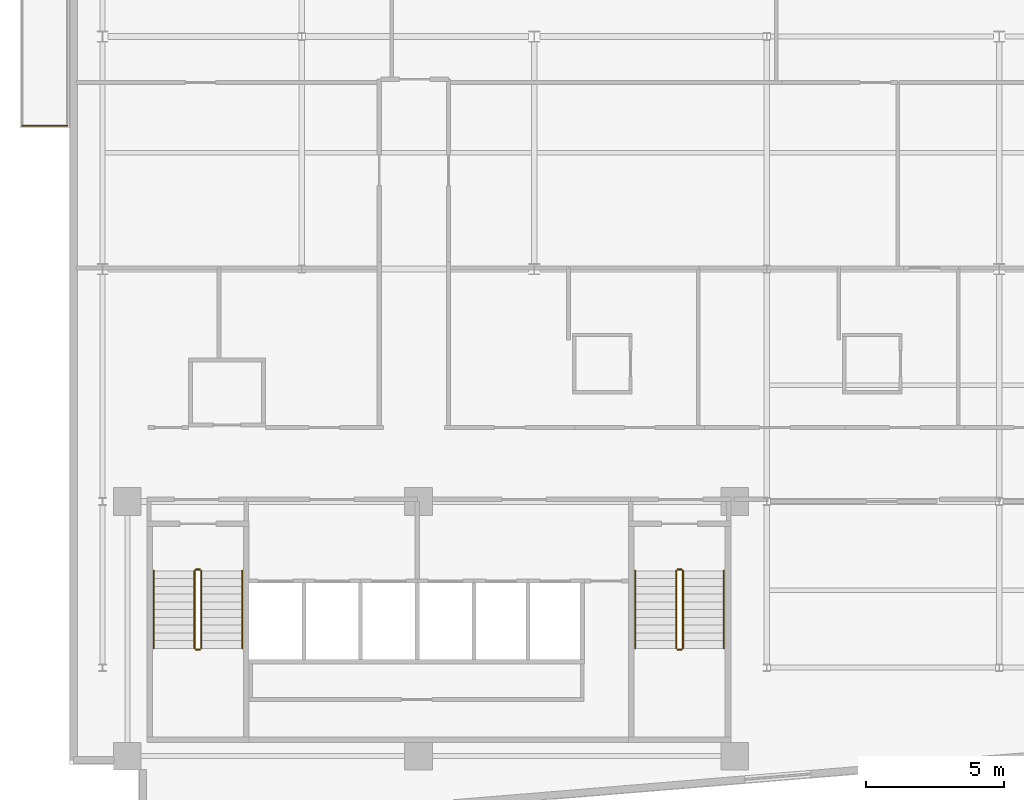
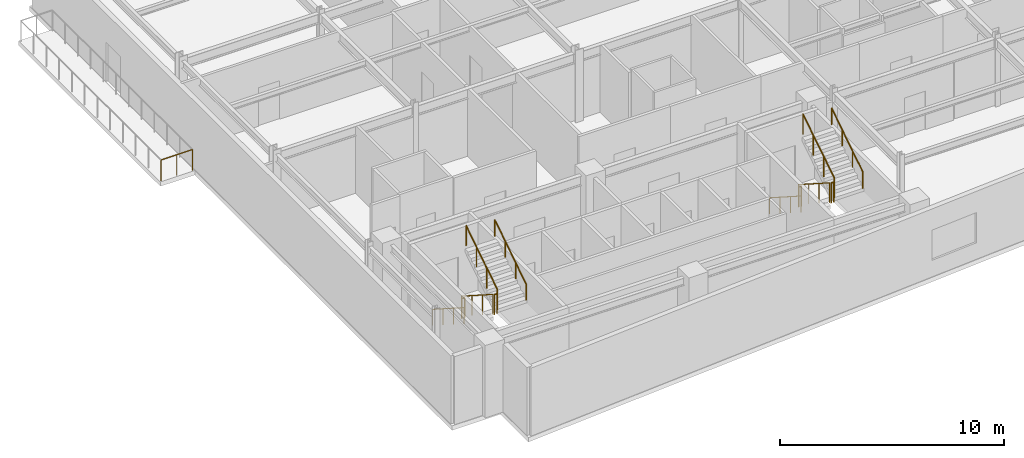
# One storey, part 15 of 17: 13 railings.
"""IFC4 building model written with IfcOpenShell, lengths in metres."""

import ifcopenshell
import ifcopenshell.guid

model = None  # the IFC model being written
_history = None  # IfcOwnerHistory: only IFC2X3 demands one
_inside = {}  # id of a spatial element -> (the spatial element, [elements in it])
_under = {}  # id of a project, library or spatial element -> (it, [spatial elements below it])
_declared = {}  # id of a project -> (the project, [libraries it declares])
_typed = {}  # id of a type object -> (the type object, [elements of that type])
_made_of = {}  # id of a material, layer set ... -> (it, [elements and type objects made of it])


def new_model(schema):
    """Start an empty IFC model of exactly this schema.

    Asked for "IFC4X3", IfcOpenShell would pick the latest addendum, in which some entities
    have other attributes; the version numbers below select the first issue.
    IFC2X3 requires an IfcOwnerHistory on every rooted entity: one is made here for all.
    """
    global model, _history
    if schema == "IFC4X3":
        model = ifcopenshell.file(schema_version=(4, 3, 0, 0))
    else:
        model = ifcopenshell.file(schema=schema)
    _inside.clear()
    _under.clear()
    _declared.clear()
    _typed.clear()
    _made_of.clear()
    _history = None
    if model.schema == "IFC2X3":
        org = make("IfcOrganization", Name="unknown")
        user = make(
            "IfcPersonAndOrganization",
            ThePerson=make("IfcPerson", FamilyName="unknown"),
            TheOrganization=org,
        )
        app = make(
            "IfcApplication",
            ApplicationDeveloper=org,
            Version="unknown",
            ApplicationFullName="unknown",
            ApplicationIdentifier="unknown",
        )
        _history = make(
            "IfcOwnerHistory",
            OwningUser=user,
            OwningApplication=app,
            ChangeAction="ADDED",
            CreationDate=0,
        )
    return model


def make(cls, **values):
    """One entity of the class cls with the attributes given. An attribute that is None is left unset."""
    return model.create_entity(
        cls, **{name: value for name, value in values.items() if value is not None}
    )


def rooted(cls, **values):
    """An entity with a GlobalId (a new one), such as an element, a storey or a relation."""
    return make(cls, GlobalId=ifcopenshell.guid.new(), OwnerHistory=_history, **values)


def si_unit(unit_type, name, prefix=None):
    """IfcSIUnit, for example si_unit("LENGTHUNIT", "METRE", prefix="MILLI")."""
    return make("IfcSIUnit", UnitType=unit_type, Prefix=prefix, Name=name)


def assignment(units):
    """IfcUnitAssignment: the units of a project."""
    return None if units is None else make("IfcUnitAssignment", Units=units)


def point(xyz):
    """IfcCartesianPoint."""
    return None if xyz is None else make("IfcCartesianPoint", Coordinates=xyz)


def direction(xyz):
    """IfcDirection."""
    return None if xyz is None else make("IfcDirection", DirectionRatios=xyz)


def frame(location, z_axis=None, x_axis=None):
    """IfcAxis2Placement3D, a coordinate frame: its origin and axes. An axis left out is left unset."""
    return make(
        "IfcAxis2Placement3D",
        Location=point(location),
        Axis=direction(z_axis),
        RefDirection=direction(x_axis),
    )


def frame_2d(location, x_axis=None):
    """IfcAxis2Placement2D, a coordinate frame in the plane: its origin and x axis."""
    return make(
        "IfcAxis2Placement2D", Location=point(location), RefDirection=direction(x_axis)
    )


def origin():
    """The frame at (0, 0, 0) with its axes left unset."""
    return frame((0.0, 0.0, 0.0))


def origin_2d():
    """The frame at (0, 0) in the plane with its x axis left unset."""
    return frame_2d((0.0, 0.0))


def place(relative_to, where):
    """IfcLocalPlacement: puts the frame where relative to a parent placement (None: the world)."""
    return make(
        "IfcLocalPlacement", PlacementRelTo=relative_to, RelativePlacement=where
    )


def context(
    kind, dimensions, precision=None, world=None, true_north=None, identifier=None
):
    """IfcGeometricRepresentationContext, for example the 3D "Model" context."""
    return make(
        "IfcGeometricRepresentationContext",
        ContextIdentifier=identifier,
        ContextType=kind,
        CoordinateSpaceDimension=dimensions,
        Precision=precision,
        WorldCoordinateSystem=world,
        TrueNorth=true_north,
    )


def subcontext(parent, identifier, kind, view, scale=None):
    """IfcGeometricRepresentationSubContext, for example "Body" below "Model"."""
    return make(
        "IfcGeometricRepresentationSubContext",
        ContextIdentifier=identifier,
        ContextType=kind,
        ParentContext=parent,
        TargetScale=scale,
        TargetView=view,
    )


def project(units=None, contexts=None):
    """IfcProject with its units and contexts."""
    return rooted(
        "IfcProject",
        Name="project",
        RepresentationContexts=contexts,
        UnitsInContext=assignment(units),
    )


def spatial(cls, under=None, at=None, **own):
    """A site, building, storey or space (cls), placed at a placement, below another one or the project."""
    s = rooted(cls, ObjectPlacement=at, **own)
    if under is not None:
        _under.setdefault(under.id(), (under, []))[1].append(s)
    return s


def profile(cls, at=None, kind="AREA", **sizes):
    """A parametric profile (cls). Its sizes go by their IFC names, for example OverallWidth=200.0."""
    return make(cls, ProfileType=kind, Position=at, **sizes)


def circle(**sizes):
    """IfcCircleProfileDef."""
    return profile("IfcCircleProfileDef", **sizes)


def extrude(swept, where, along, depth):
    """IfcExtrudedAreaSolid: the profile swept, set in the frame where, extruded along a direction by depth."""
    return make(
        "IfcExtrudedAreaSolid",
        SweptArea=swept,
        Position=where,
        ExtrudedDirection=direction(along),
        Depth=depth,
    )


def shape(context_of_items, identifier, shape_type, items):
    """IfcShapeRepresentation: the items that make up one representation, for example the "Body"."""
    return make(
        "IfcShapeRepresentation",
        ContextOfItems=context_of_items,
        RepresentationIdentifier=identifier,
        RepresentationType=shape_type,
        Items=items,
    )


def material(Name=None, Category=None):
    """IfcMaterial."""
    return make("IfcMaterial", Name=Name, Category=Category)


def made_of(thing, what):
    """Note that an element or type object is made of a material, layer set ...; save() writes the relation."""
    if what is not None:
        _made_of.setdefault(what.id(), (what, []))[1].append(thing)
    return thing


def type_object(cls, material=None, **own):
    """A type object (cls), such as IfcWallType, which elements share."""
    return made_of(rooted(cls, **own), material)


def element(
    cls,
    number,
    at=None,
    inside=None,
    cuts=None,
    type_object=None,
    material=None,
    context=None,
    identifier="Body",
    shape_type=None,
    held_by="IfcProductDefinitionShape",
    body=None,
    shapes=None,
    **own,
):
    """One element of the class cls, such as IfcWall. Its Tag is "e" and its number.

    at: its placement. inside: the storey or other place that contains it. cuts: it is an
    opening in that element (IfcRelVoidsElement). A single representation is given by context,
    identifier, shape_type and body (its items); several are given by shapes. held_by: the class
    of the entity that holds the representations. save() writes the other relations.
    """
    e = rooted(cls, Tag="e%d" % number, ObjectPlacement=at, **own)
    if body is not None:
        shapes = [shape(context, identifier, shape_type, body)]
    if shapes is not None:
        e.Representation = make(held_by, Representations=shapes)
    if inside is not None:
        _inside.setdefault(inside.id(), (inside, []))[1].append(e)
    if cuts is not None:
        rooted(
            "IfcRelVoidsElement", RelatingBuildingElement=cuts, RelatedOpeningElement=e
        )
    if type_object is not None:
        _typed.setdefault(type_object.id(), (type_object, []))[1].append(e)
    return made_of(e, material)


def aggregate(whole, parts):
    """IfcRelAggregates: a whole, such as a stair, and the parts it consists of."""
    return rooted("IfcRelAggregates", RelatingObject=whole, RelatedObjects=parts)


def save(model, path):
    """Write the relations noted so far, then the file.

    IfcRelAggregates (storeys below a building ...), IfcRelContainedInSpatialStructure (elements
    in a storey), IfcRelDefinesByType, IfcRelAssociatesMaterial and IfcRelDeclares: one each for
    every whole, place, type object, material and project.
    """
    for whole, parts in _under.values():
        aggregate(whole, parts)
    for where, things in _inside.values():
        rooted(
            "IfcRelContainedInSpatialStructure",
            RelatedElements=things,
            RelatingStructure=where,
        )
    for kind, things in _typed.values():
        rooted("IfcRelDefinesByType", RelatedObjects=things, RelatingType=kind)
    for what, things in _made_of.values():
        rooted("IfcRelAssociatesMaterial", RelatedObjects=things, RelatingMaterial=what)
    for by, libraries in _declared.values():
        rooted("IfcRelDeclares", RelatingContext=by, RelatedDefinitions=libraries)
    model.write(path)


model = new_model("IFC4")

# Units and contexts
model_context = context("Model", 3, precision=1e-05, world=origin(), true_north=direction((0.0, 1.0)))
body_context = subcontext(model_context, "Body", "Model", "MODEL_VIEW")
ifc_project = project(units=[si_unit("LENGTHUNIT", "METRE"), si_unit("AREAUNIT", "SQUARE_METRE"), si_unit("VOLUMEUNIT", "CUBIC_METRE"), si_unit("PLANEANGLEUNIT", "RADIAN"), si_unit("MASSUNIT", "GRAM", prefix="KILO")], contexts=[model_context])

# Site, building, storey
site_placement = place(None, origin())
site = spatial("IfcSite", under=ifc_project, at=site_placement, CompositionType="ELEMENT")
building_placement = place(site_placement, origin())
building = spatial("IfcBuilding", under=site, at=building_placement, Name="Varnakote Quay Hospital", CompositionType="ELEMENT")
storey_placement = place(building_placement, frame((0.0, 0.0, 203.949951171875)))
storey = spatial("IfcBuildingStorey", under=building, at=storey_placement, Name="L50", CompositionType="ELEMENT", Elevation=203.949951171875)

# Railings
ifc_material_1 = material(Name="Anodised aluminium 6063-T6 Bronze", Category="aluminium")
railing_type_1 = type_object("IfcRailingType", Name="RLG-EXT-GUARD-1150", PredefinedType="GUARDRAIL", material=ifc_material_1)
railing_1_placement = place(storey_placement, frame((-0.075927734375, 25.580078125, 0.0)))
element("IfcRailing", 1, at=railing_1_placement, inside=storey, type_object=railing_type_1, Name="L50 Zigzag Prow Healing Terrace Safety Guard", PredefinedType="GUARDRAIL", context=body_context, shape_type="SweptSolid", body=[
    extrude(circle(Radius=0.02392578125, at=origin_2d()), frame((0.0, 0.0, 1.1259765625), z_axis=(-1.0, 0.0, 0.0), x_axis=(0.0, -1.0, 0.0)), (0.0, 0.0, 1.0), 1.6240234375),
    extrude(circle(Radius=0.02099609375, at=origin_2d()), origin(), (0.0, 0.0, 1.0), 1.101806640625),
    extrude(circle(Radius=0.02099609375, at=origin_2d()), frame((-0.81201171875, 0.0, 0.0)), (0.0, 0.0, 1.0), 1.101806640625),
    extrude(circle(Radius=0.02099609375, at=origin_2d()), frame((-1.6240234375, 0.0, 0.0)), (0.0, 0.0, 1.0), 1.101806640625),
])
ifc_material_2 = material(Name="Brushed stainless steel balustrade", Category="steel")
railing_type_2 = type_object("IfcRailingType", Name="RLG-STAIR-GUARD-1150", PredefinedType="GUARDRAIL", material=ifc_material_2)
railing_2_placement = place(storey_placement, frame((4.530029296875, 9.5, 0.1796875)))
element("IfcRailing", 2, at=railing_2_placement, inside=storey, type_object=railing_type_2, Name="L50 ST-01 stair guard 1", PredefinedType="GUARDRAIL", context=body_context, shape_type="SweptSolid", body=[
    extrude(circle(Radius=0.02392578125, at=origin_2d()), frame((0.0, 0.0, 1.076171875), z_axis=(0.0, -0.841809871826, 0.539774156196), x_axis=(1.0, 0.0, 0.0)), (0.0, 0.0, 1.0), 3.326171875),
    extrude(circle(Radius=0.02099609375, at=origin_2d()), origin(), (0.0, 0.0, 1.0), 1.052001953125),
    extrude(circle(Radius=0.02099609375, at=origin_2d()), frame((0.0, -0.933349609375, 0.598388671875)), (0.0, 0.0, 1.0), 1.052001953125),
    extrude(circle(Radius=0.02099609375, at=origin_2d()), frame((0.0, -1.86669921875, 1.197021484375)), (0.0, 0.0, 1.0), 1.052001953125),
    extrude(circle(Radius=0.02099609375, at=origin_2d()), frame((0.0, -2.800048828125, 1.79541015625)), (0.0, 0.0, 1.0), 1.052001953125),
])
railing_3_placement = place(storey_placement, frame((4.580078125, 6.64990234375, 1.97509765625)))
element("IfcRailing", 3, at=railing_3_placement, inside=storey, type_object=railing_type_2, Name="L50 ST-01 stair guard 2", PredefinedType="GUARDRAIL", context=body_context, shape_type="SweptSolid", body=[
    extrude(circle(Radius=0.02392578125, at=origin_2d()), frame((0.0, 0.0, 1.076171875), z_axis=(1.0, 0.0, 0.0), x_axis=(0.0, 1.0, 0.0)), (0.0, 0.0, 1.0), 0.139892578125),
    extrude(circle(Radius=0.02099609375, at=origin_2d()), origin(), (0.0, 0.0, 1.0), 1.052001953125),
    extrude(circle(Radius=0.02099609375, at=origin_2d()), frame((0.139892578125, 0.0, 0.0)), (0.0, 0.0, 1.0), 1.052001953125),
])
railing_4_placement = place(storey_placement, frame((4.77001953125, 6.699951171875, 2.154541015625)))
element("IfcRailing", 4, at=railing_4_placement, inside=storey, type_object=railing_type_2, Name="L50 ST-01 stair guard 3", PredefinedType="GUARDRAIL", context=body_context, shape_type="SweptSolid", body=[
    extrude(circle(Radius=0.02392578125, at=origin_2d()), frame((0.0, 0.0, 1.076171875), z_axis=(0.0, 0.841809871826, 0.539774156196), x_axis=(-1.0, 0.0, 0.0)), (0.0, 0.0, 1.0), 3.326171875),
    extrude(circle(Radius=0.02099609375, at=origin_2d()), origin(), (0.0, 0.0, 1.0), 1.052001953125),
    extrude(circle(Radius=0.02099609375, at=origin_2d()), frame((0.0, 0.933349609375, 0.598388671875)), (0.0, 0.0, 1.0), 1.052001953125),
    extrude(circle(Radius=0.02099609375, at=origin_2d()), frame((0.0, 1.86669921875, 1.197021484375)), (0.0, 0.0, 1.0), 1.052001953125),
    extrude(circle(Radius=0.02099609375, at=origin_2d()), frame((0.0, 2.800048828125, 1.79541015625)), (0.0, 0.0, 1.0), 1.052001953125),
])
railing_5_placement = place(storey_placement, frame((4.580078125, 9.550048828125, 0.0)))
element("IfcRailing", 5, at=railing_5_placement, inside=storey, type_object=railing_type_2, Name="L50 ST-01 stair guard 4", PredefinedType="GUARDRAIL", context=body_context, shape_type="SweptSolid", body=[
    extrude(circle(Radius=0.02392578125, at=origin_2d()), frame((0.0, 0.0, 1.076171875), z_axis=(1.0, 0.0, 0.0), x_axis=(0.0, 1.0, 0.0)), (0.0, 0.0, 1.0), 0.139892578125),
    extrude(circle(Radius=0.02099609375, at=origin_2d()), origin(), (0.0, 0.0, 1.0), 1.052001953125),
    extrude(circle(Radius=0.02099609375, at=origin_2d()), frame((0.139892578125, 0.0, 0.0)), (0.0, 0.0, 1.0), 1.052001953125),
])
railing_6_placement = place(storey_placement, frame((21.929931640625, 9.5, 0.1796875)))
element("IfcRailing", 6, at=railing_6_placement, inside=storey, type_object=railing_type_2, Name="L50 ST-02 stair guard 1", PredefinedType="GUARDRAIL", context=body_context, shape_type="SweptSolid", body=[
    extrude(circle(Radius=0.02392578125, at=origin_2d()), frame((0.0, 0.0, 1.076171875), z_axis=(0.0, -0.841809871826, 0.539774156196), x_axis=(1.0, 0.0, 0.0)), (0.0, 0.0, 1.0), 3.326171875),
    extrude(circle(Radius=0.02099609375, at=origin_2d()), origin(), (0.0, 0.0, 1.0), 1.052001953125),
    extrude(circle(Radius=0.02099609375, at=origin_2d()), frame((0.0, -0.933349609375, 0.598388671875)), (0.0, 0.0, 1.0), 1.052001953125),
    extrude(circle(Radius=0.02099609375, at=origin_2d()), frame((0.0, -1.86669921875, 1.197021484375)), (0.0, 0.0, 1.0), 1.052001953125),
    extrude(circle(Radius=0.02099609375, at=origin_2d()), frame((0.0, -2.800048828125, 1.79541015625)), (0.0, 0.0, 1.0), 1.052001953125),
])
railing_7_placement = place(storey_placement, frame((21.97998046875, 6.64990234375, 1.97509765625)))
element("IfcRailing", 7, at=railing_7_placement, inside=storey, type_object=railing_type_2, Name="L50 ST-02 stair guard 2", PredefinedType="GUARDRAIL", context=body_context, shape_type="SweptSolid", body=[
    extrude(circle(Radius=0.02392578125, at=origin_2d()), frame((0.0, 0.0, 1.076171875), z_axis=(1.0, 0.0, 0.0), x_axis=(0.0, 1.0, 0.0)), (0.0, 0.0, 1.0), 0.14013671875),
    extrude(circle(Radius=0.02099609375, at=origin_2d()), origin(), (0.0, 0.0, 1.0), 1.052001953125),
    extrude(circle(Radius=0.02099609375, at=origin_2d()), frame((0.14013671875, 0.0, 0.0)), (0.0, 0.0, 1.0), 1.052001953125),
])
railing_8_placement = place(storey_placement, frame((22.169921875, 6.699951171875, 2.154541015625)))
element("IfcRailing", 8, at=railing_8_placement, inside=storey, type_object=railing_type_2, Name="L50 ST-02 stair guard 3", PredefinedType="GUARDRAIL", context=body_context, shape_type="SweptSolid", body=[
    extrude(circle(Radius=0.02392578125, at=origin_2d()), frame((0.0, 0.0, 1.076171875), z_axis=(0.0, 0.841809871826, 0.539774156196), x_axis=(-1.0, 0.0, 0.0)), (0.0, 0.0, 1.0), 3.326171875),
    extrude(circle(Radius=0.02099609375, at=origin_2d()), origin(), (0.0, 0.0, 1.0), 1.052001953125),
    extrude(circle(Radius=0.02099609375, at=origin_2d()), frame((0.0, 0.933349609375, 0.598388671875)), (0.0, 0.0, 1.0), 1.052001953125),
    extrude(circle(Radius=0.02099609375, at=origin_2d()), frame((0.0, 1.86669921875, 1.197021484375)), (0.0, 0.0, 1.0), 1.052001953125),
    extrude(circle(Radius=0.02099609375, at=origin_2d()), frame((0.0, 2.800048828125, 1.79541015625)), (0.0, 0.0, 1.0), 1.052001953125),
])
railing_9_placement = place(storey_placement, frame((21.97998046875, 9.550048828125, 0.0)))
element("IfcRailing", 9, at=railing_9_placement, inside=storey, type_object=railing_type_2, Name="L50 ST-02 stair guard 4", PredefinedType="GUARDRAIL", context=body_context, shape_type="SweptSolid", body=[
    extrude(circle(Radius=0.02392578125, at=origin_2d()), frame((0.0, 0.0, 1.076171875), z_axis=(1.0, 0.0, 0.0), x_axis=(0.0, 1.0, 0.0)), (0.0, 0.0, 1.0), 0.14013671875),
    extrude(circle(Radius=0.02099609375, at=origin_2d()), origin(), (0.0, 0.0, 1.0), 1.052001953125),
    extrude(circle(Radius=0.02099609375, at=origin_2d()), frame((0.14013671875, 0.0, 0.0)), (0.0, 0.0, 1.0), 1.052001953125),
])
ifc_material_3 = material(Name="Brushed stainless steel handrail", Category="steel")
railing_type_3 = type_object("IfcRailingType", Name="RLG-STAIR-HND-920", PredefinedType="HANDRAIL", material=ifc_material_3)
railing_10_placement = place(storey_placement, frame((3.050048828125, 9.5, 0.1796875)))
element("IfcRailing", 10, at=railing_10_placement, inside=storey, type_object=railing_type_3, Name="L50 ST-01 stair handrail 1", PredefinedType="HANDRAIL", context=body_context, shape_type="SweptSolid", body=[
    extrude(circle(Radius=0.02392578125, at=origin_2d()), frame((0.0, 0.0, 0.8759765625), z_axis=(0.0, -0.841809871826, 0.539774156196), x_axis=(1.0, 0.0, 0.0)), (0.0, 0.0, 1.0), 3.326171875),
    extrude(circle(Radius=0.02099609375, at=origin_2d()), origin(), (0.0, 0.0, 1.0), 0.851806640625),
    extrude(circle(Radius=0.02099609375, at=origin_2d()), frame((0.0, -0.933349609375, 0.598388671875)), (0.0, 0.0, 1.0), 0.851806640625),
    extrude(circle(Radius=0.02099609375, at=origin_2d()), frame((0.0, -1.86669921875, 1.197021484375)), (0.0, 0.0, 1.0), 0.851806640625),
    extrude(circle(Radius=0.02099609375, at=origin_2d()), frame((0.0, -2.800048828125, 1.79541015625)), (0.0, 0.0, 1.0), 0.851806640625),
])
railing_11_placement = place(storey_placement, frame((6.25, 6.699951171875, 2.154541015625)))
element("IfcRailing", 11, at=railing_11_placement, inside=storey, type_object=railing_type_3, Name="L50 ST-01 stair handrail 2", PredefinedType="HANDRAIL", context=body_context, shape_type="SweptSolid", body=[
    extrude(circle(Radius=0.02392578125, at=origin_2d()), frame((0.0, 0.0, 0.8759765625), z_axis=(0.0, 0.841809871826, 0.539774156196), x_axis=(-1.0, 0.0, 0.0)), (0.0, 0.0, 1.0), 3.326171875),
    extrude(circle(Radius=0.02099609375, at=origin_2d()), origin(), (0.0, 0.0, 1.0), 0.851806640625),
    extrude(circle(Radius=0.02099609375, at=origin_2d()), frame((0.0, 0.933349609375, 0.598388671875)), (0.0, 0.0, 1.0), 0.851806640625),
    extrude(circle(Radius=0.02099609375, at=origin_2d()), frame((0.0, 1.86669921875, 1.197021484375)), (0.0, 0.0, 1.0), 0.851806640625),
    extrude(circle(Radius=0.02099609375, at=origin_2d()), frame((0.0, 2.800048828125, 1.79541015625)), (0.0, 0.0, 1.0), 0.851806640625),
])
railing_12_placement = place(storey_placement, frame((20.449951171875, 9.5, 0.1796875)))
element("IfcRailing", 12, at=railing_12_placement, inside=storey, type_object=railing_type_3, Name="L50 ST-02 stair handrail 1", PredefinedType="HANDRAIL", context=body_context, shape_type="SweptSolid", body=[
    extrude(circle(Radius=0.02392578125, at=origin_2d()), frame((0.0, 0.0, 0.8759765625), z_axis=(0.0, -0.841809871826, 0.539774156196), x_axis=(1.0, 0.0, 0.0)), (0.0, 0.0, 1.0), 3.326171875),
    extrude(circle(Radius=0.02099609375, at=origin_2d()), origin(), (0.0, 0.0, 1.0), 0.851806640625),
    extrude(circle(Radius=0.02099609375, at=origin_2d()), frame((0.0, -0.933349609375, 0.598388671875)), (0.0, 0.0, 1.0), 0.851806640625),
    extrude(circle(Radius=0.02099609375, at=origin_2d()), frame((0.0, -1.86669921875, 1.197021484375)), (0.0, 0.0, 1.0), 0.851806640625),
    extrude(circle(Radius=0.02099609375, at=origin_2d()), frame((0.0, -2.800048828125, 1.79541015625)), (0.0, 0.0, 1.0), 0.851806640625),
])
railing_13_placement = place(storey_placement, frame((23.64990234375, 6.699951171875, 2.154541015625)))
element("IfcRailing", 13, at=railing_13_placement, inside=storey, type_object=railing_type_3, Name="L50 ST-02 stair handrail 2", PredefinedType="HANDRAIL", context=body_context, shape_type="SweptSolid", body=[
    extrude(circle(Radius=0.02392578125, at=origin_2d()), frame((0.0, 0.0, 0.8759765625), z_axis=(0.0, 0.841809871826, 0.539774156196), x_axis=(-1.0, 0.0, 0.0)), (0.0, 0.0, 1.0), 3.326171875),
    extrude(circle(Radius=0.02099609375, at=origin_2d()), origin(), (0.0, 0.0, 1.0), 0.851806640625),
    extrude(circle(Radius=0.02099609375, at=origin_2d()), frame((0.0, 0.933349609375, 0.598388671875)), (0.0, 0.0, 1.0), 0.851806640625),
    extrude(circle(Radius=0.02099609375, at=origin_2d()), frame((0.0, 1.86669921875, 1.197021484375)), (0.0, 0.0, 1.0), 0.851806640625),
    extrude(circle(Radius=0.02099609375, at=origin_2d()), frame((0.0, 2.800048828125, 1.79541015625)), (0.0, 0.0, 1.0), 0.851806640625),
])

save(model, "model.ifc")
